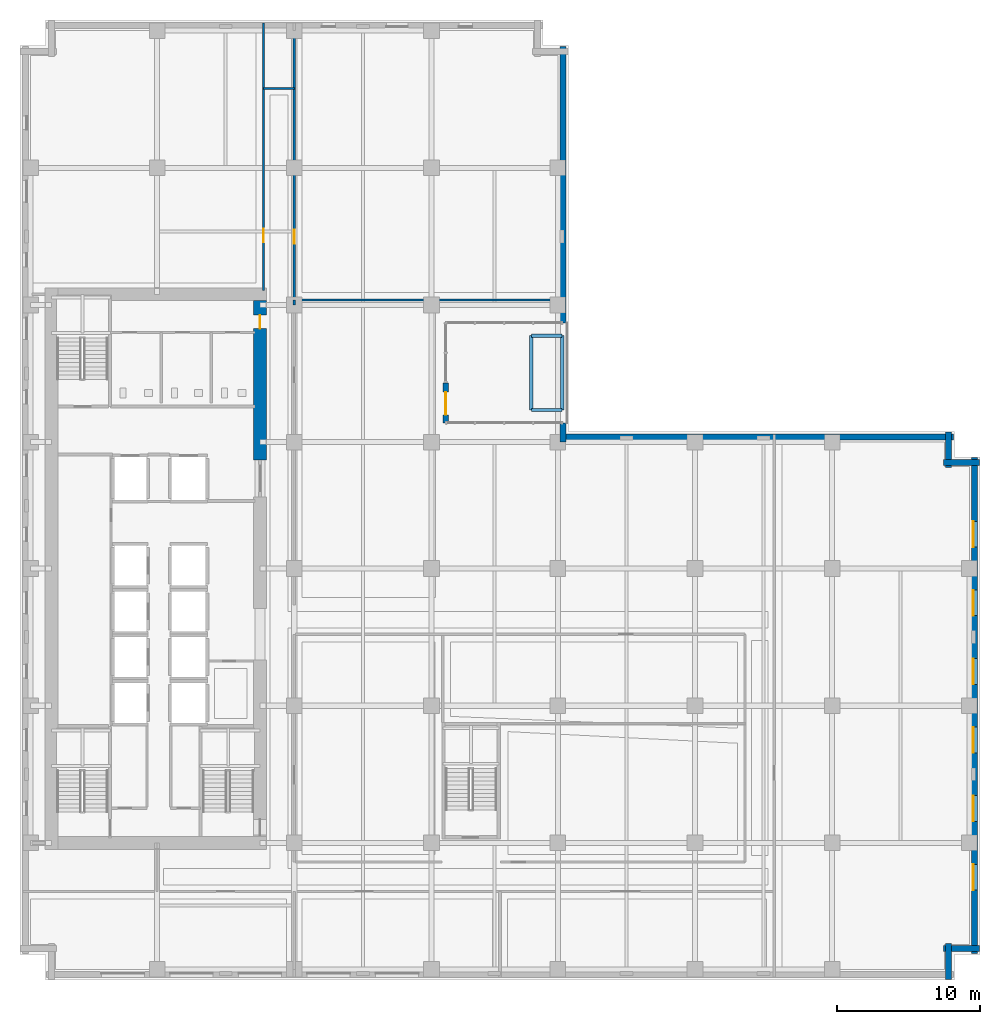
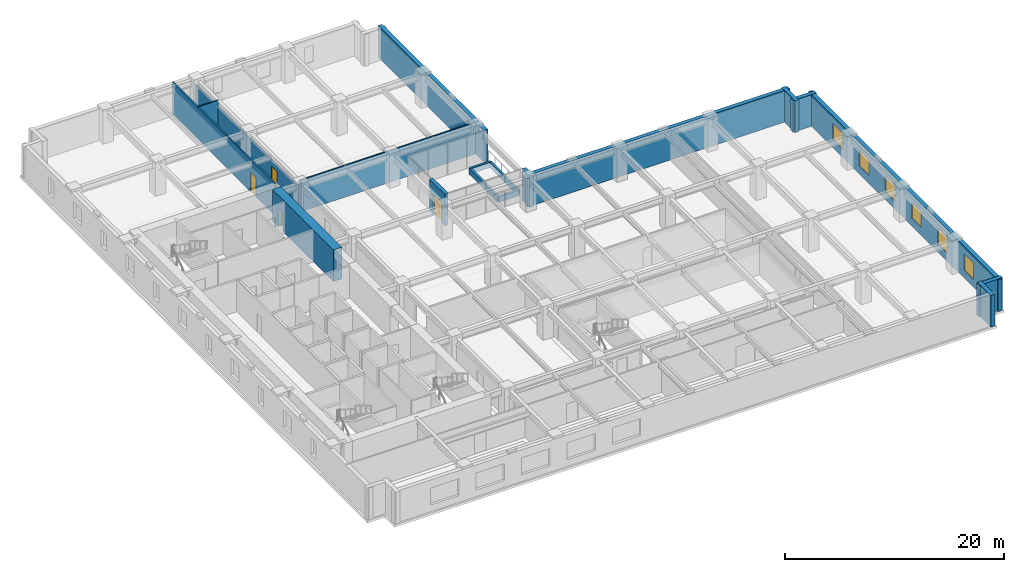
# One storey, part 7 of 16: 19 walls, 6 windows, 4 doors, 10 openings.
"""IFC4 building model written with IfcOpenShell, lengths in metres."""

from ifc_helpers import new_model, si_unit, direction, frame, frame_2d, origin, place, context, subcontext, project, spatial, rectangle, extrude, material, layer, layer_set, type_object, element, fill, save


model = new_model("IFC4")

# Units and contexts
model_context = context("Model", 3, precision=1e-05, world=origin(), true_north=direction((0.0, 1.0)))
body_context = subcontext(model_context, "Body", "Model", "MODEL_VIEW")
ifc_project = project(units=[si_unit("LENGTHUNIT", "METRE"), si_unit("AREAUNIT", "SQUARE_METRE"), si_unit("VOLUMEUNIT", "CUBIC_METRE"), si_unit("PLANEANGLEUNIT", "RADIAN"), si_unit("MASSUNIT", "GRAM", prefix="KILO")], contexts=[model_context])

# Site, building, storey
site_placement = place(None, origin())
site = spatial("IfcSite", under=ifc_project, at=site_placement, CompositionType="ELEMENT")
building_placement = place(site_placement, origin())
building = spatial("IfcBuilding", under=site, at=building_placement, Name="Norrvale University Quadrangle", CompositionType="ELEMENT")
storey_placement = place(building_placement, frame((0.0, 0.0, 58.39990234375)))
storey = spatial("IfcBuildingStorey", under=building, at=storey_placement, Name="L14", CompositionType="ELEMENT", Elevation=58.39990234375)

# Walls
ifc_material_1 = material(Name="Buff Norman Clay Brick Masonry", Category="masonry")
ifc_layer_1 = layer(ifc_material_1, 0.419921875, Name="Buff Norman Clay Brick Masonry")
ifc_layer_set_1 = layer_set([ifc_layer_1], Name="Buff Norman Clay Brick Masonry")
wall_type_1 = type_object("IfcWallType", Name="Wall Buff Brick 420", PredefinedType="SOLIDWALL", material=ifc_layer_set_1)
for number, where, z_axis, x_axis, name in (
    (1, (65.010009765625, 0.0400390625, 0.0), (0.0, 0.0, 1.0), (0.0, 1.0, 0.0), "Exterior Brick Facade Wall L14-02.1"),
    (2, (64.659912109375, 2.18994140625, 0.0), (0.0, 0.0, 1.0), (1.0, 0.0, 0.0), "Exterior Brick Facade Wall L14-03.1"),
):
    element("IfcWall", number, at=place(storey_placement, frame(where, z_axis=z_axis, x_axis=x_axis)), inside=storey, type_object=wall_type_1, Name=name, PredefinedType="SOLIDWALL", context=body_context, shape_type="SweptSolid", body=[
        extrude(rectangle(XDim=2.5, YDim=0.419921875, at=frame_2d((1.25, 0.0))), origin(), (0.0, 0.0, 1.0), 3.5400390625),
    ])

# Wall, openings, windows
wall_1_placement = place(storey_placement, frame((66.81005859375, 1.840087890625, 0.0), z_axis=(0.0, 0.0, 1.0), x_axis=(0.0, 1.0, 0.0)))
wall_1 = element("IfcWall", 3, at=wall_1_placement, inside=storey, type_object=wall_type_1, Name="Exterior Brick Facade Wall L14-04.1", PredefinedType="SOLIDWALL", context=body_context, shape_type="SweptSolid", body=[
    extrude(rectangle(XDim=34.719970703125, YDim=0.419921875, at=frame_2d((17.35986328125, 0.0))), origin(), (0.0, 0.0, 1.0), 3.5400390625),
])
opening_1_placement = place(wall_1_placement, frame((4.4599609375, 0.0, 0.85009765625)))
opening_1 = element("IfcOpeningElement", 4, at=opening_1_placement, cuts=wall_1, Name="Opening W01", PredefinedType="OPENING", context=body_context, shape_type="SweptSolid", body=[
    extrude(rectangle(XDim=1.800048828125, YDim=1.85009765625, at=frame_2d((0.89990234375, 0.925048828125))), frame((0.0, 0.221923828125, 0.0), z_axis=(0.0, -1.0, 0.0), x_axis=(1.0, 0.0, 0.0)), (0.0, 0.0, 1.0), 0.44384765625),
])
opening_2_placement = place(wall_1_placement, frame((9.260009765625, 0.0, 0.85009765625)))
opening_2 = element("IfcOpeningElement", 5, at=opening_2_placement, cuts=wall_1, Name="Opening W01", PredefinedType="OPENING", context=body_context, shape_type="SweptSolid", body=[
    extrude(rectangle(XDim=1.800048828125, YDim=1.85009765625, at=frame_2d((0.89990234375, 0.925048828125))), frame((0.0, 0.221923828125, 0.0), z_axis=(0.0, -1.0, 0.0), x_axis=(1.0, 0.0, 0.0)), (0.0, 0.0, 1.0), 0.44384765625),
])
opening_3_placement = place(wall_1_placement, frame((14.06005859375, 0.0, 0.85009765625)))
opening_3 = element("IfcOpeningElement", 6, at=opening_3_placement, cuts=wall_1, Name="Opening W01", PredefinedType="OPENING", context=body_context, shape_type="SweptSolid", body=[
    extrude(rectangle(XDim=1.800048828125, YDim=1.85009765625, at=frame_2d((0.89990234375, 0.925048828125))), frame((0.0, 0.221923828125, 0.0), z_axis=(0.0, -1.0, 0.0), x_axis=(1.0, 0.0, 0.0)), (0.0, 0.0, 1.0), 0.44384765625),
])
opening_4_placement = place(wall_1_placement, frame((18.860107421875, 0.0, 0.85009765625)))
opening_4 = element("IfcOpeningElement", 7, at=opening_4_placement, cuts=wall_1, Name="Opening W01", PredefinedType="OPENING", context=body_context, shape_type="SweptSolid", body=[
    extrude(rectangle(XDim=1.800048828125, YDim=1.85009765625, at=frame_2d((0.89990234375, 0.925048828125))), frame((0.0, 0.221923828125, 0.0), z_axis=(0.0, -1.0, 0.0), x_axis=(1.0, 0.0, 0.0)), (0.0, 0.0, 1.0), 0.44384765625),
])
opening_5_placement = place(wall_1_placement, frame((23.659912109375, 0.0, 0.85009765625)))
opening_5 = element("IfcOpeningElement", 8, at=opening_5_placement, cuts=wall_1, Name="Opening W01", PredefinedType="OPENING", context=body_context, shape_type="SweptSolid", body=[
    extrude(rectangle(XDim=1.800048828125, YDim=1.85009765625, at=frame_2d((0.89990234375, 0.925048828125))), frame((0.0, 0.221923828125, 0.0), z_axis=(0.0, -1.0, 0.0), x_axis=(1.0, 0.0, 0.0)), (0.0, 0.0, 1.0), 0.44384765625),
])
opening_6_placement = place(wall_1_placement, frame((28.4599609375, 0.0, 0.85009765625)))
opening_6 = element("IfcOpeningElement", 9, at=opening_6_placement, cuts=wall_1, Name="Opening W01", PredefinedType="OPENING", context=body_context, shape_type="SweptSolid", body=[
    extrude(rectangle(XDim=1.800048828125, YDim=1.85009765625, at=frame_2d((0.89990234375, 0.925048828125))), frame((0.0, 0.221923828125, 0.0), z_axis=(0.0, -1.0, 0.0), x_axis=(1.0, 0.0, 0.0)), (0.0, 0.0, 1.0), 0.44384765625),
])
ifc_material_2 = material(Name="Triple Low-E Argon Glazing", Category="glass")
window_type = type_object("IfcWindowType", Name="Window Academic 1800x2300", PartitioningType="DOUBLE_PANEL_VERTICAL", PredefinedType="WINDOW", material=ifc_material_2)
window_1_placement = place(opening_1_placement, origin())
window_1 = element("IfcWindow", 10, at=window_1_placement, inside=storey, type_object=window_type, Name="Window Academic 1800x2300 WIN-L14-E04-1-01", OverallHeight=1.85009765625, OverallWidth=1.800048828125, PartitioningType="DOUBLE_PANEL_VERTICAL", PredefinedType="WINDOW", context=body_context, shape_type="SweptSolid", body=[
    extrude(rectangle(XDim=1.800048828125, YDim=1.85009765625, at=frame_2d((0.89990234375, 0.925048828125))), frame((0.0, 0.110107421875, 0.0), z_axis=(0.0, -1.0, 0.0), x_axis=(1.0, 0.0, 0.0)), (0.0, 0.0, 1.0), 0.06005859375),
])
fill(opening_1, window_1)
window_2_placement = place(opening_2_placement, origin())
window_2 = element("IfcWindow", 11, at=window_2_placement, inside=storey, type_object=window_type, Name="Window Academic 1800x2300 WIN-L14-E04-1-02", OverallHeight=1.85009765625, OverallWidth=1.800048828125, PartitioningType="DOUBLE_PANEL_VERTICAL", PredefinedType="WINDOW", context=body_context, shape_type="SweptSolid", body=[
    extrude(rectangle(XDim=1.800048828125, YDim=1.85009765625, at=frame_2d((0.89990234375, 0.925048828125))), frame((0.0, 0.110107421875, 0.0), z_axis=(0.0, -1.0, 0.0), x_axis=(1.0, 0.0, 0.0)), (0.0, 0.0, 1.0), 0.06005859375),
])
fill(opening_2, window_2)
window_3_placement = place(opening_3_placement, origin())
window_3 = element("IfcWindow", 12, at=window_3_placement, inside=storey, type_object=window_type, Name="Window Academic 1800x2300 WIN-L14-E04-1-03", OverallHeight=1.85009765625, OverallWidth=1.800048828125, PartitioningType="DOUBLE_PANEL_VERTICAL", PredefinedType="WINDOW", context=body_context, shape_type="SweptSolid", body=[
    extrude(rectangle(XDim=1.800048828125, YDim=1.85009765625, at=frame_2d((0.89990234375, 0.925048828125))), frame((0.0, 0.110107421875, 0.0), z_axis=(0.0, -1.0, 0.0), x_axis=(1.0, 0.0, 0.0)), (0.0, 0.0, 1.0), 0.06005859375),
])
fill(opening_3, window_3)
window_4_placement = place(opening_4_placement, origin())
window_4 = element("IfcWindow", 13, at=window_4_placement, inside=storey, type_object=window_type, Name="Window Academic 1800x2300 WIN-L14-E04-1-04", OverallHeight=1.85009765625, OverallWidth=1.800048828125, PartitioningType="DOUBLE_PANEL_VERTICAL", PredefinedType="WINDOW", context=body_context, shape_type="SweptSolid", body=[
    extrude(rectangle(XDim=1.800048828125, YDim=1.85009765625, at=frame_2d((0.89990234375, 0.925048828125))), frame((0.0, 0.110107421875, 0.0), z_axis=(0.0, -1.0, 0.0), x_axis=(1.0, 0.0, 0.0)), (0.0, 0.0, 1.0), 0.06005859375),
])
fill(opening_4, window_4)
window_5_placement = place(opening_5_placement, origin())
window_5 = element("IfcWindow", 14, at=window_5_placement, inside=storey, type_object=window_type, Name="Window Academic 1800x2300 WIN-L14-E04-1-05", OverallHeight=1.85009765625, OverallWidth=1.800048828125, PartitioningType="DOUBLE_PANEL_VERTICAL", PredefinedType="WINDOW", context=body_context, shape_type="SweptSolid", body=[
    extrude(rectangle(XDim=1.800048828125, YDim=1.85009765625, at=frame_2d((0.89990234375, 0.925048828125))), frame((0.0, 0.110107421875, 0.0), z_axis=(0.0, -1.0, 0.0), x_axis=(1.0, 0.0, 0.0)), (0.0, 0.0, 1.0), 0.06005859375),
])
fill(opening_5, window_5)
window_6_placement = place(opening_6_placement, origin())
window_6 = element("IfcWindow", 15, at=window_6_placement, inside=storey, type_object=window_type, Name="Window Academic 1800x2300 WIN-L14-E04-1-06", OverallHeight=1.85009765625, OverallWidth=1.800048828125, PartitioningType="DOUBLE_PANEL_VERTICAL", PredefinedType="WINDOW", context=body_context, shape_type="SweptSolid", body=[
    extrude(rectangle(XDim=1.800048828125, YDim=1.85009765625, at=frame_2d((0.89990234375, 0.925048828125))), frame((0.0, 0.110107421875, 0.0), z_axis=(0.0, -1.0, 0.0), x_axis=(1.0, 0.0, 0.0)), (0.0, 0.0, 1.0), 0.06005859375),
])
fill(opening_6, window_6)

# Walls
for number, where, z_axis, x_axis, name in (
    (16, (67.159912109375, 36.2099609375, 0.0), (0.0, 0.0, 1.0), (-1.0, 0.0, 0.0), "Exterior Brick Facade Wall L14-05.1"),
    (17, (65.010009765625, 35.860107421875, 0.0), (0.0, 0.0, 1.0), (0.0, 1.0, 0.0), "Exterior Brick Facade Wall L14-06.1"),
):
    element("IfcWall", number, at=place(storey_placement, frame(where, z_axis=z_axis, x_axis=x_axis)), inside=storey, type_object=wall_type_1, Name=name, PredefinedType="SOLIDWALL", context=body_context, shape_type="SweptSolid", body=[
        extrude(rectangle(XDim=2.5, YDim=0.419921875, at=frame_2d((1.25, 0.0))), origin(), (0.0, 0.0, 1.0), 3.5400390625),
    ])
wall_2_placement = place(storey_placement, frame((65.360107421875, 38.010009765625, 0.0), z_axis=(0.0, 0.0, 1.0), x_axis=(-1.0, 0.0, 0.0)))
element("IfcWall", 18, at=wall_2_placement, inside=storey, type_object=wall_type_1, Name="Exterior Brick Facade Wall L14-07.1", PredefinedType="SOLIDWALL", context=body_context, shape_type="SweptSolid", body=[
    extrude(rectangle(XDim=27.7001953125, YDim=0.419921875, at=frame_2d((13.85009765625, 0.0))), origin(), (0.0, 0.0, 1.0), 3.5400390625),
])
wall_3_placement = place(storey_placement, frame((38.010009765625, 37.659912109375, 0.0), z_axis=(0.0, 0.0, 1.0), x_axis=(0.0, 1.0, 0.0)))
element("IfcWall", 19, at=wall_3_placement, inside=storey, type_object=wall_type_1, Name="Exterior Brick Facade Wall L14-08.1", PredefinedType="SOLIDWALL", context=body_context, shape_type="SweptSolid", body=[
    extrude(rectangle(XDim=1.340087890625, YDim=0.419921875, at=frame_2d((0.669921875, 0.0))), origin(), (0.0, 0.0, 1.0), 3.5400390625),
])
wall_4_placement = place(storey_placement, frame((38.010009765625, 46.0, 0.0), z_axis=(0.0, 0.0, 1.0), x_axis=(0.0, 1.0, 0.0)))
element("IfcWall", 20, at=wall_4_placement, inside=storey, type_object=wall_type_1, Name="Exterior Brick Facade Wall L14-08.2", PredefinedType="SOLIDWALL", context=body_context, shape_type="SweptSolid", body=[
    extrude(rectangle(XDim=19.360107421875, YDim=0.419921875, at=frame_2d((9.68017578125, 0.0))), origin(), (0.0, 0.0, 1.0), 3.5400390625),
])

# Wall, opening, door
wall_5_placement = place(storey_placement, frame((29.800048828125, 39.0, 0.0), z_axis=(0.0, 0.0, 1.0), x_axis=(0.0, 1.0, 0.0)))
wall_5 = element("IfcWall", 21, at=wall_5_placement, inside=storey, type_object=wall_type_1, Name="Sky Garden Loggia Access Wall L14", PredefinedType="SOLIDWALL", context=body_context, shape_type="SweptSolid", body=[
    extrude(rectangle(XDim=2.800048828125, YDim=0.360107421875, at=frame_2d((1.39990234375, 0.0))), origin(), (0.0, 0.0, 1.0), 3.5400390625),
])
opening_7_placement = place(wall_5_placement, frame((0.550048828125, 0.0, 0.0)))
opening_7 = element("IfcOpeningElement", 22, at=opening_7_placement, cuts=wall_5, Name="Opening D09", PredefinedType="OPENING", context=body_context, shape_type="SweptSolid", body=[
    extrude(rectangle(XDim=1.60009765625, YDim=2.300048828125, at=frame_2d((0.800048828125, 1.14990234375))), frame((0.0, 0.192138671875, 0.0), z_axis=(0.0, -1.0, 0.0), x_axis=(1.0, 0.0, 0.0)), (0.0, 0.0, 1.0), 0.384033203125),
])
ifc_material_3 = material(Name="Thermally Broken Glazed Terrace Door")
door_type_1 = type_object("IfcDoorType", Name="Door Terrace 1600x2300", OperationType="DOUBLE_SWING_LEFT", PredefinedType="DOOR", material=ifc_material_3)
door_1_placement = place(opening_7_placement, frame((1.60009765625, 0.0, 0.0), z_axis=(0.0, 0.0, 1.0), x_axis=(-1.0, 0.0, 0.0)))
door_1 = element("IfcDoor", 23, at=door_1_placement, inside=storey, type_object=door_type_1, Name="Door Terrace 1600x2300 DR-L14-SKYG", OperationType="DOUBLE_SWING_LEFT", OverallHeight=2.300048828125, OverallWidth=1.60009765625, PredefinedType="DOOR", context=body_context, shape_type="SweptSolid", body=[
    extrude(rectangle(XDim=1.60009765625, YDim=2.300048828125, at=frame_2d((0.800048828125, 1.14990234375))), frame((0.0, 0.02490234375, 0.0), z_axis=(0.0, -1.0, 0.0), x_axis=(1.0, 0.0, 0.0)), (0.0, 0.0, 1.0), 0.050048828125),
])
fill(opening_7, door_1)

ifc_material_4 = material(Name="Concrete C80/95", Category="concrete")
ifc_layer_2 = layer(ifc_material_4, 0.89990234375, Name="Concrete C80/95")
ifc_layer_set_2 = layer_set([ifc_layer_2], Name="Concrete C80/95")
wall_type_2 = type_object("IfcWallType", Name="Wall Core 900", PredefinedType="SHEAR", material=ifc_layer_set_2)
wall_6_placement = place(storey_placement, frame((16.800048828125, 36.39990234375, 0.0), z_axis=(0.0, 0.0, 1.0), x_axis=(0.0, 1.0, 0.0)))
wall_6 = element("IfcWall", 24, at=wall_6_placement, inside=storey, type_object=wall_type_2, Name="Tower Core Shear Wall L14-E3", PredefinedType="SHEAR", context=body_context, shape_type="SweptSolid", body=[
    extrude(rectangle(XDim=11.150146484375, YDim=0.89990234375, at=frame_2d((5.5751953125, 0.0))), origin(), (0.0, 0.0, 1.0), 3.5400390625),
])
opening_8_placement = place(wall_6_placement, frame((9.199951171875, 0.0, 0.0)))
opening_8 = element("IfcOpeningElement", 25, at=opening_8_placement, cuts=wall_6, Name="Opening D07", PredefinedType="OPENING", context=body_context, shape_type="SweptSolid", body=[
    extrude(rectangle(XDim=0.949951171875, YDim=2.14990234375, at=frame_2d((0.47509765625, 1.074951171875))), frame((0.0, 0.4619140625, 0.0), z_axis=(0.0, -1.0, 0.0), x_axis=(1.0, 0.0, 0.0)), (0.0, 0.0, 1.0), 0.923828125),
])
ifc_material_5 = material(Name="Solid-Core Maple Door", Category="wood")
door_type_2 = type_object("IfcDoorType", Name="Door Office 950x2150", OperationType="NOTDEFINED", PredefinedType="DOOR", material=ifc_material_5)
door_2_placement = place(opening_8_placement, origin())
door_2 = element("IfcDoor", 26, at=door_2_placement, inside=storey, type_object=door_type_2, Name="Door Office 950x2150 DR-L14-NECORR", OperationType="SINGLE_SWING_LEFT", OverallHeight=2.14990234375, OverallWidth=0.949951171875, PredefinedType="DOOR", context=body_context, shape_type="SweptSolid", body=[
    extrude(rectangle(XDim=0.949951171875, YDim=2.14990234375, at=frame_2d((0.47509765625, 1.074951171875))), frame((0.0, 0.02490234375, 0.0), z_axis=(0.0, -1.0, 0.0), x_axis=(1.0, 0.0, 0.0)), (0.0, 0.0, 1.0), 0.050048828125),
])
fill(opening_8, door_2)

# Walls
ifc_material_6 = material(Name="Standard Academic Gypsum Partition")
ifc_layer_3 = layer(ifc_material_6, 0.125, Name="Standard Academic Gypsum Partition")
ifc_layer_set_3 = layer_set([ifc_layer_3], Name="Standard Academic Gypsum Partition")
wall_type_3 = type_object("IfcWallType", Name="Wall Gypsum Academic 125", PredefinedType="PARTITIONING", material=ifc_layer_set_3)
wall_7_placement = place(storey_placement, frame((19.199951171875, 47.60009765625, 0.0), z_axis=(0.0, 0.0, 1.0), x_axis=(1.0, 0.0, 0.0)))
element("IfcWall", 27, at=wall_7_placement, inside=storey, type_object=wall_type_3, Name="Interior Partition WL-L14-SG-NSEP", PredefinedType="PARTITIONING", context=body_context, shape_type="SweptSolid", body=[
    extrude(rectangle(XDim=18.97998046875, YDim=0.125, at=frame_2d((9.489990234375, 0.0))), origin(), (0.0, 0.0, 1.0), 3.5400390625),
])
ifc_material_7 = material(Name="Fire-Rated Gypsum Stud Partition")
ifc_layer_4 = layer(ifc_material_7, 0.14990234375, Name="Fire-Rated Gypsum Stud Partition")
ifc_layer_set_4 = layer_set([ifc_layer_4], Name="Fire-Rated Gypsum Stud Partition")
wall_type_4 = type_object("IfcWallType", Name="Wall Gypsum Corridor 150", PredefinedType="PARTITIONING", material=ifc_layer_set_4)
wall_8_placement = place(storey_placement, frame((17.050048828125, 62.39990234375, 0.0), z_axis=(0.0, 0.0, 1.0), x_axis=(1.0, 0.0, 0.0)))
element("IfcWall", 28, at=wall_8_placement, inside=storey, type_object=wall_type_4, Name="Interior Partition WL-L14-CN-END", PredefinedType="PARTITIONING", context=body_context, shape_type="SweptSolid", body=[
    extrude(rectangle(XDim=2.14990234375, YDim=0.14990234375, at=frame_2d((1.074951171875, 0.0))), origin(), (0.0, 0.0, 1.0), 3.5400390625),
])
wall_9_placement = place(storey_placement, frame((19.199951171875, 47.25, 0.0), z_axis=(0.0, 0.0, 1.0), x_axis=(0.0, 1.0, 0.0)))
element("IfcWall", 29, at=wall_9_placement, inside=storey, type_object=wall_type_4, Name="Interior Partition WL-L14-MNECW-B2", PredefinedType="PARTITIONING", context=body_context, shape_type="SweptSolid", body=[
    extrude(rectangle(XDim=0.35009765625, YDim=0.14990234375, at=frame_2d((0.175048828125, 0.0))), origin(), (0.0, 0.0, 1.0), 3.5400390625),
])

# Wall, opening, door
wall_10_placement = place(storey_placement, frame((19.199951171875, 47.60009765625, 0.0), z_axis=(0.0, 0.0, 1.0), x_axis=(0.0, 1.0, 0.0)))
wall_10 = element("IfcWall", 30, at=wall_10_placement, inside=storey, type_object=wall_type_4, Name="Interior Partition WL-L14-NECW", PredefinedType="PARTITIONING", context=body_context, shape_type="SweptSolid", body=[
    extrude(rectangle(XDim=18.849853515625, YDim=0.14990234375, at=frame_2d((9.4248046875, 0.0))), origin(), (0.0, 0.0, 1.0), 2.84521484375),
])
opening_9_placement = place(wall_10_placement, frame((3.949951171875, 0.0, 0.0)))
opening_9 = element("IfcOpeningElement", 31, at=opening_9_placement, cuts=wall_10, Name="Opening D07", PredefinedType="OPENING", context=body_context, shape_type="SweptSolid", body=[
    extrude(rectangle(XDim=0.949951171875, YDim=2.14990234375, at=frame_2d((0.47509765625, 1.074951171875))), frame((0.0, 0.0869140625, 0.0), z_axis=(0.0, -1.0, 0.0), x_axis=(1.0, 0.0, 0.0)), (0.0, 0.0, 1.0), 0.173828125),
])
door_3_placement = place(opening_9_placement, origin())
door_3 = element("IfcDoor", 32, at=door_3_placement, inside=storey, type_object=door_type_2, Name="Door Office 950x2150 DR-L14-NE01", OperationType="SINGLE_SWING_RIGHT", OverallHeight=2.14990234375, OverallWidth=0.949951171875, PredefinedType="DOOR", context=body_context, shape_type="SweptSolid", body=[
    extrude(rectangle(XDim=0.949951171875, YDim=2.14990234375, at=frame_2d((0.47509765625, 1.074951171875))), frame((0.0, 0.02490234375, 0.0), z_axis=(0.0, -1.0, 0.0), x_axis=(1.0, 0.0, 0.0)), (0.0, 0.0, 1.0), 0.050048828125),
])
fill(opening_9, door_3)

wall_11_placement = place(storey_placement, frame((17.050048828125, 48.25, 0.0), z_axis=(0.0, 0.0, 1.0), x_axis=(0.0, 1.0, 0.0)))
wall_11 = element("IfcWall", 33, at=wall_11_placement, inside=storey, type_object=wall_type_4, Name="Interior Partition WL-L14-NWCW", PredefinedType="PARTITIONING", context=body_context, shape_type="SweptSolid", body=[
    extrude(rectangle(XDim=18.72998046875, YDim=0.14990234375, at=frame_2d((9.364990234375, 0.0))), origin(), (0.0, 0.0, 1.0), 3.5400390625),
])
opening_10_placement = place(wall_11_placement, frame((3.39990234375, 0.0, 0.0)))
opening_10 = element("IfcOpeningElement", 34, at=opening_10_placement, cuts=wall_11, Name="Opening D07", PredefinedType="OPENING", context=body_context, shape_type="SweptSolid", body=[
    extrude(rectangle(XDim=0.949951171875, YDim=2.14990234375, at=frame_2d((0.47509765625, 1.074951171875))), frame((0.0, 0.0869140625, 0.0), z_axis=(0.0, -1.0, 0.0), x_axis=(1.0, 0.0, 0.0)), (0.0, 0.0, 1.0), 0.173828125),
])
door_4_placement = place(opening_10_placement, origin())
door_4 = element("IfcDoor", 35, at=door_4_placement, inside=storey, type_object=door_type_2, Name="Door Office 950x2150 DR-L14-NW01", OperationType="SINGLE_SWING_RIGHT", OverallHeight=2.14990234375, OverallWidth=0.949951171875, PredefinedType="DOOR", context=body_context, shape_type="SweptSolid", body=[
    extrude(rectangle(XDim=0.949951171875, YDim=2.14990234375, at=frame_2d((0.47509765625, 1.074951171875))), frame((0.0, 0.02490234375, 0.0), z_axis=(0.0, -1.0, 0.0), x_axis=(1.0, 0.0, 0.0)), (0.0, 0.0, 1.0), 0.050048828125),
])
fill(opening_10, door_4)

# Walls
ifc_layer_5 = layer(ifc_material_1, 0.239990234375, Name="Buff Norman Clay Brick Masonry")
ifc_layer_set_5 = layer_set([ifc_layer_5], Name="Buff Norman Clay Brick Masonry")
wall_type_5 = type_object("IfcWallType", Name="Wall Planter 240", PredefinedType="USERDEFINED", material=ifc_layer_set_5)
for number, where, z_axis, x_axis, name in (
    (36, (35.800048828125, 39.89990234375, 0.0), (0.0, 0.0, 1.0), (0.0, 1.0, 0.0), "Sky Garden Planter Curb L14-W"),
    (37, (37.949951171875, 39.89990234375, 0.0), (0.0, 0.0, 1.0), (0.0, 1.0, 0.0), "Sky Garden Planter Curb L14-E"),
):
    element("IfcWall", number, at=place(storey_placement, frame(where, z_axis=z_axis, x_axis=x_axis)), inside=storey, type_object=wall_type_5, Name=name, ObjectType="PLANTER", PredefinedType="USERDEFINED", context=body_context, shape_type="SweptSolid", body=[
        extrude(rectangle(XDim=5.2001953125, YDim=0.239990234375, at=frame_2d((2.60009765625, 0.0))), origin(), (0.0, 0.0, 1.0), 0.6201171875),
    ])
for number, where, z_axis, x_axis, name in (
    (38, (35.800048828125, 39.89990234375, 0.0), (0.0, 0.0, 1.0), (1.0, 0.0, 0.0), "Sky Garden Planter Curb L14-S"),
    (39, (35.800048828125, 45.10009765625, 0.0), (0.0, 0.0, 1.0), (1.0, 0.0, 0.0), "Sky Garden Planter Curb L14-N"),
):
    element("IfcWall", number, at=place(storey_placement, frame(where, z_axis=z_axis, x_axis=x_axis)), inside=storey, type_object=wall_type_5, Name=name, ObjectType="PLANTER", PredefinedType="USERDEFINED", context=body_context, shape_type="SweptSolid", body=[
        extrude(rectangle(XDim=2.14990234375, YDim=0.239990234375, at=frame_2d((1.074951171875, 0.0))), origin(), (0.0, 0.0, 1.0), 0.6201171875),
    ])

save(model, "model.ifc")
